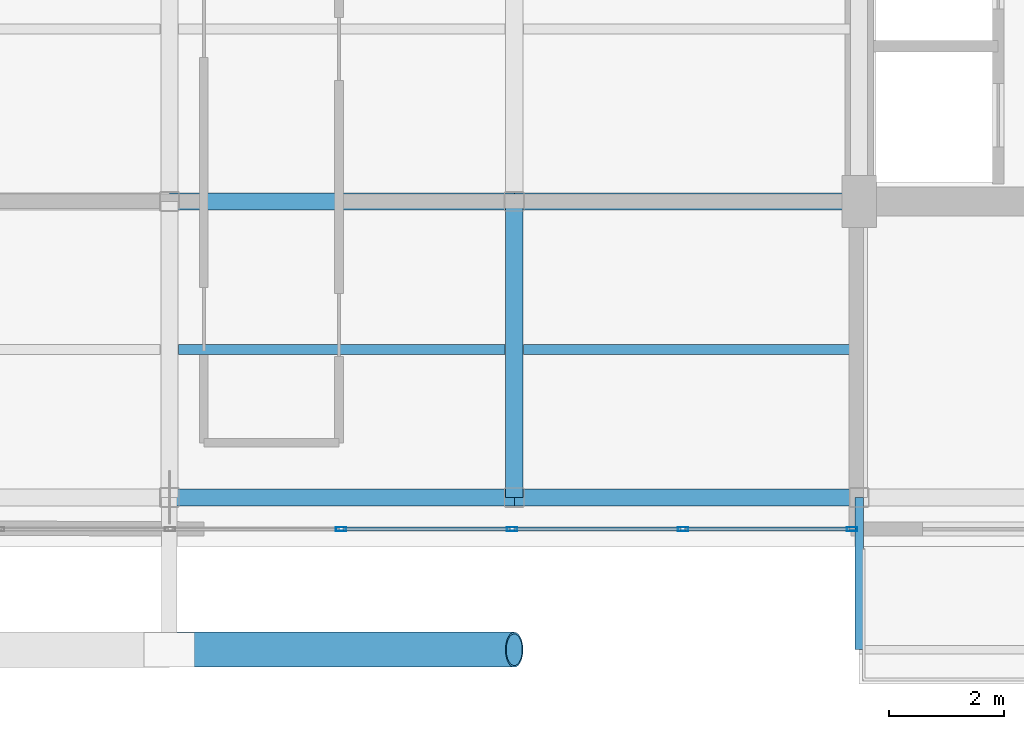
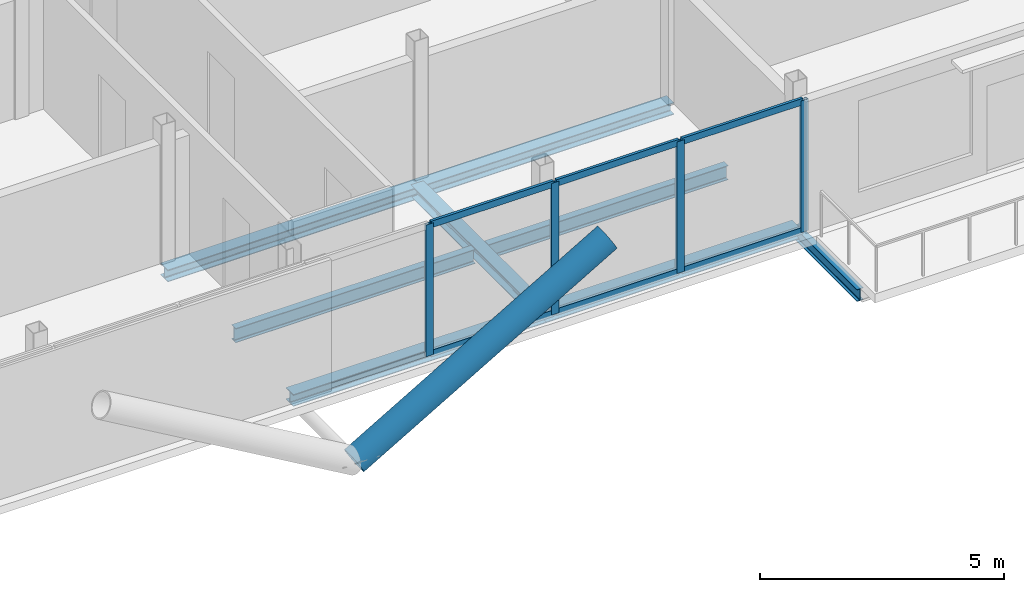
# One storey, part 4 of 18: 11 members, 8 beams, 1 element without a shape of its own.
"""IFC4 building model written with IfcOpenShell, lengths in metres."""

from ifc_helpers import new_model, si_unit, direction, frame, origin, origin_2d, place, context, subcontext, project, spatial, hollow_rectangle, hollow_circle, i_section, extrude, material, layer, layer_set, material_profile, profile_set, type_object, element, aggregate, save


model = new_model("IFC4")

# Units and contexts
model_context = context("Model", 3, precision=1e-05, world=origin(), true_north=direction((0.0, 1.0)))
body_context = subcontext(model_context, "Body", "Model", "MODEL_VIEW")
ifc_project = project(units=[si_unit("LENGTHUNIT", "METRE"), si_unit("AREAUNIT", "SQUARE_METRE"), si_unit("VOLUMEUNIT", "CUBIC_METRE"), si_unit("PLANEANGLEUNIT", "RADIAN"), si_unit("MASSUNIT", "GRAM", prefix="KILO"), si_unit("THERMODYNAMICTEMPERATUREUNIT", "KELVIN"), si_unit("POWERUNIT", "WATT")], contexts=[model_context])

# Site, building, storey
site_placement = place(None, origin())
site = spatial("IfcSite", under=ifc_project, at=site_placement, CompositionType="ELEMENT")
building_placement = place(site_placement, origin())
building = spatial("IfcBuilding", under=site, at=building_placement, Name="Svarakhadi Broadcast Tower", CompositionType="ELEMENT")
storey_placement = place(building_placement, frame((0.0, 0.0, 288.699951171875)))
storey = spatial("IfcBuildingStorey", under=building, at=storey_placement, Name="L73", CompositionType="ELEMENT", Elevation=288.699951171875)

# Beams
ifc_material_1 = material(Name="Steel S355J2 (IS 2062 E350C)", Category="steel")
ifc_material_profile_1 = material_profile(ifc_material_1, i_section(OverallWidth=0.169921875, OverallDepth=0.360107421875, WebThickness=0.008056640625, FlangeThickness=0.0126953125, FilletRadius=0.01806640625, at=origin_2d()), Name="NPB 360x170x57")
ifc_profile_set_1 = profile_set([ifc_material_profile_1], Name="Steel S355J2 (IS 2062 E350C)")
beam_type_1 = type_object("IfcBeamType", Name="Beam_NPB360", PredefinedType="BEAM", material=ifc_profile_set_1)
for number, where, z_axis, x_axis, name in (
    (1, (12.159912109375, 3.425048828125, -0.3798828125), (1.0, 0.0, 0.0), (0.0, 1.0, 0.0), "L73 Secondary Composite Beam SB007"),
    (2, (18.159912109375, 3.425048828125, -0.3798828125), (1.0, 0.0, 0.0), (0.0, 1.0, 0.0), "L73 Secondary Composite Beam SB010"),
):
    element("IfcBeam", number, at=place(storey_placement, frame(where, z_axis=z_axis, x_axis=x_axis)), inside=storey, type_object=beam_type_1, Name=name, PredefinedType="BEAM", context=body_context, shape_type="SweptSolid", body=[
        extrude(i_section(OverallWidth=0.169921875, OverallDepth=0.360107421875, WebThickness=0.008056640625, FlangeThickness=0.0126953125, FilletRadius=0.01806640625, at=origin_2d()), origin(), (0.0, 0.0, 1.0), 5.68017578125),
    ])

# Curtain wall, members
ifc_material_2 = material(Name="Anodised Bronze Aluminium AA 6063-T6", Category="aluminium")
ifc_layer = layer(ifc_material_2, 0.179931640625)
ifc_layer_set = layer_set([ifc_layer], Name="Anodised Bronze Aluminium AA 6063-T6")
curtain_wall_type = type_object("IfcCurtainWallType", Name="CW_Sys_05", PredefinedType="NOTDEFINED", material=ifc_layer_set)
curtain_wall_placement = place(storey_placement, origin())
curtain_wall = element("IfcCurtainWall", 3, at=curtain_wall_placement, inside=storey, type_object=curtain_wall_type, Name="L73 South Curtain Wall 15", PredefinedType="NOTDEFINED")
ifc_material_profile_2 = material_profile(ifc_material_2, hollow_rectangle(XDim=0.070068359375, YDim=0.179931640625, WallThickness=0.005615234375, at=origin_2d()), Name="ALU MULLION 180x70x6")
ifc_profile_set_2 = profile_set([ifc_material_profile_2], Name="Anodised Bronze Aluminium AA 6063-T6")
member_type_1 = type_object("IfcMemberType", Name="CW_Sys_05_Mul", PredefinedType="MULLION", material=ifc_profile_set_2)
member_1_placement = place(storey_placement, frame((23.875, 0.300048828125, 0.0), z_axis=(0.0, 0.0, 1.0), x_axis=(0.0, -1.0, 0.0)))
member_1 = element("IfcMember", 4, at=member_1_placement, type_object=member_type_1, Name="CW-05 mullion 1", PredefinedType="MULLION", context=body_context, shape_type="SweptSolid", body=[
    extrude(hollow_rectangle(XDim=0.070068359375, YDim=0.179931640625, WallThickness=0.005615234375, at=origin_2d()), origin(), (0.0, 0.0, 1.0), 3.300048828125),
])
member_2_placement = place(storey_placement, frame((20.935791015625, 0.300048828125, 0.0), z_axis=(0.0, 0.0, 1.0), x_axis=(0.0, -1.0, 0.0)))
member_2 = element("IfcMember", 5, at=member_2_placement, type_object=member_type_1, Name="CW-05 mullion 2", PredefinedType="MULLION", context=body_context, shape_type="SweptSolid", body=[
    extrude(hollow_rectangle(XDim=0.070068359375, YDim=0.179931640625, WallThickness=0.005615234375, at=origin_2d()), origin(), (0.0, 0.0, 1.0), 3.300048828125),
])
member_3_placement = place(storey_placement, frame((17.96142578125, 0.300048828125, 0.0), z_axis=(0.0, 0.0, 1.0), x_axis=(0.0, -1.0, 0.0)))
member_3 = element("IfcMember", 6, at=member_3_placement, type_object=member_type_1, Name="CW-05 mullion 3", PredefinedType="MULLION", context=body_context, shape_type="SweptSolid", body=[
    extrude(hollow_rectangle(XDim=0.070068359375, YDim=0.179931640625, WallThickness=0.005615234375, at=origin_2d()), origin(), (0.0, 0.0, 1.0), 3.300048828125),
])
member_4_placement = place(storey_placement, frame((14.987060546875, 0.300048828125, 0.0), z_axis=(0.0, 0.0, 1.0), x_axis=(0.0, -1.0, 0.0)))
member_4 = element("IfcMember", 7, at=member_4_placement, type_object=member_type_1, Name="CW-05 mullion 4", PredefinedType="MULLION", context=body_context, shape_type="SweptSolid", body=[
    extrude(hollow_rectangle(XDim=0.070068359375, YDim=0.179931640625, WallThickness=0.005615234375, at=origin_2d()), origin(), (0.0, 0.0, 1.0), 3.300048828125),
])
ifc_material_profile_3 = material_profile(ifc_material_2, hollow_rectangle(XDim=0.06494140625, YDim=0.1650390625, WallThickness=0.0048828125, at=origin_2d()), Name="ALU TRANSOM 165x65x5")
ifc_profile_set_3 = profile_set([ifc_material_profile_3], Name="Anodised Bronze Aluminium AA 6063-T6")
member_type_2 = type_object("IfcMemberType", Name="CW_Sys_05_Trn", PredefinedType="USERDEFINED", material=ifc_profile_set_3)
member_5_placement = place(storey_placement, frame((23.840087890625, 0.300048828125, 0.032470703125), z_axis=(-1.0, 0.0, 0.0), x_axis=(0.0, -1.0, 0.0)))
member_5 = element("IfcMember", 8, at=member_5_placement, type_object=member_type_2, Name="CW-05 transom 1.1", ObjectType="TRANSOM", PredefinedType="USERDEFINED", context=body_context, shape_type="SweptSolid", body=[
    extrude(hollow_rectangle(XDim=0.06494140625, YDim=0.1650390625, WallThickness=0.0048828125, at=origin_2d()), origin(), (0.0, 0.0, 1.0), 2.869384765625),
])
member_6_placement = place(storey_placement, frame((23.840087890625, 0.300048828125, 3.267578125), z_axis=(-1.0, 0.0, 0.0), x_axis=(0.0, -1.0, 0.0)))
member_6 = element("IfcMember", 9, at=member_6_placement, type_object=member_type_2, Name="CW-05 transom 1.2", ObjectType="TRANSOM", PredefinedType="USERDEFINED", context=body_context, shape_type="SweptSolid", body=[
    extrude(hollow_rectangle(XDim=0.06494140625, YDim=0.1650390625, WallThickness=0.0048828125, at=origin_2d()), origin(), (0.0, 0.0, 1.0), 2.869384765625),
])
member_7_placement = place(storey_placement, frame((20.900634765625, 0.300048828125, 0.032470703125), z_axis=(-1.0, 0.0, 0.0), x_axis=(0.0, -1.0, 0.0)))
member_7 = element("IfcMember", 10, at=member_7_placement, type_object=member_type_2, Name="CW-05 transom 2.1", ObjectType="TRANSOM", PredefinedType="USERDEFINED", context=body_context, shape_type="SweptSolid", body=[
    extrude(hollow_rectangle(XDim=0.06494140625, YDim=0.1650390625, WallThickness=0.0048828125, at=origin_2d()), origin(), (0.0, 0.0, 1.0), 2.904296875),
])
member_8_placement = place(storey_placement, frame((20.900634765625, 0.300048828125, 3.267578125), z_axis=(-1.0, 0.0, 0.0), x_axis=(0.0, -1.0, 0.0)))
member_8 = element("IfcMember", 11, at=member_8_placement, type_object=member_type_2, Name="CW-05 transom 2.2", ObjectType="TRANSOM", PredefinedType="USERDEFINED", context=body_context, shape_type="SweptSolid", body=[
    extrude(hollow_rectangle(XDim=0.06494140625, YDim=0.1650390625, WallThickness=0.0048828125, at=origin_2d()), origin(), (0.0, 0.0, 1.0), 2.904296875),
])
member_9_placement = place(storey_placement, frame((17.926513671875, 0.300048828125, 0.032470703125), z_axis=(-1.0, 0.0, 0.0), x_axis=(0.0, -1.0, 0.0)))
member_9 = element("IfcMember", 12, at=member_9_placement, type_object=member_type_2, Name="CW-05 transom 3.1", ObjectType="TRANSOM", PredefinedType="USERDEFINED", context=body_context, shape_type="SweptSolid", body=[
    extrude(hollow_rectangle(XDim=0.06494140625, YDim=0.1650390625, WallThickness=0.0048828125, at=origin_2d()), origin(), (0.0, 0.0, 1.0), 2.904296875),
])
member_10_placement = place(storey_placement, frame((17.926513671875, 0.300048828125, 3.267578125), z_axis=(-1.0, 0.0, 0.0), x_axis=(0.0, -1.0, 0.0)))
member_10 = element("IfcMember", 13, at=member_10_placement, type_object=member_type_2, Name="CW-05 transom 3.2", ObjectType="TRANSOM", PredefinedType="USERDEFINED", context=body_context, shape_type="SweptSolid", body=[
    extrude(hollow_rectangle(XDim=0.06494140625, YDim=0.1650390625, WallThickness=0.0048828125, at=origin_2d()), origin(), (0.0, 0.0, 1.0), 2.904296875),
])
aggregate(curtain_wall, [member_1, member_2, member_3, member_4, member_5, member_6, member_7, member_8, member_9, member_10])

# Member
ifc_material_3 = material(Name="Steel S460ML (IS 2062 E450BR)", Category="steel")
ifc_material_profile_4 = material_profile(ifc_material_3, hollow_circle(Radius=0.304931640625, WallThickness=0.030029296875, at=origin_2d()), Name="CHS 610x30")
ifc_profile_set_4 = profile_set([ifc_material_profile_4], Name="Steel S460ML (IS 2062 E450BR)")
member_type_3 = type_object("IfcMemberType", Name="Exo_Brace_CHS610", PredefinedType="BRACE", material=ifc_profile_set_4)
member_11_placement = place(storey_placement, frame((12.0, -1.800048828125, -0.33642578125), z_axis=(0.863778900898, 0.0, 0.503871025524), x_axis=(0.0, 1.0, 0.0)))
element("IfcMember", 14, at=member_11_placement, inside=storey, type_object=member_type_3, Name="L73 Exposed Bronze Exoskeleton Diagonal S02", PredefinedType="BRACE", context=body_context, shape_type="SweptSolid", body=[
    extrude(hollow_circle(Radius=0.304931640625, WallThickness=0.030029296875, at=origin_2d()), origin(), (0.0, 0.0, 1.0), 6.9462890625),
])

# Beams
ifc_material_profile_5 = material_profile(ifc_material_1, i_section(OverallWidth=0.300048828125, OverallDepth=0.300048828125, WebThickness=0.010986328125, FlangeThickness=0.01904296875, FilletRadius=0.027099609375, at=origin_2d()), Name="WPB 300x300x117")
ifc_profile_set_5 = profile_set([ifc_material_profile_5], Name="Steel S355J2 (IS 2062 E350C)")
beam_type_2 = type_object("IfcBeamType", Name="Girder_WPB300", PredefinedType="USERDEFINED", material=ifc_profile_set_5)
for number, where, z_axis, x_axis, name in (
    (15, (12.0, 0.85009765625, -0.349853515625), (1.0, 0.0, 0.0), (0.0, 1.0, 0.0), "L73 Primary E-W Girder G005"),
    (16, (18.0, 0.85009765625, -0.349853515625), (1.0, 0.0, 0.0), (0.0, 1.0, 0.0), "L73 Primary E-W Girder G006"),
    (17, (12.0, 6.0, -0.349853515625), (1.0, 0.0, 0.0), (0.0, 1.0, 0.0), "L73 Primary E-W Girder G010"),
    (18, (18.0, 6.0, -0.349853515625), (1.0, 0.0, 0.0), (0.0, 1.0, 0.0), "L73 Primary E-W Girder G011"),
):
    element("IfcBeam", number, at=place(storey_placement, frame(where, z_axis=z_axis, x_axis=x_axis)), inside=storey, type_object=beam_type_2, Name=name, ObjectType="GIRDER", PredefinedType="USERDEFINED", context=body_context, shape_type="SweptSolid", body=[
        extrude(i_section(OverallWidth=0.300048828125, OverallDepth=0.300048828125, WebThickness=0.010986328125, FlangeThickness=0.01904296875, FilletRadius=0.027099609375, at=origin_2d()), origin(), (0.0, 0.0, 1.0), 6.0),
    ])
beam_1_placement = place(storey_placement, frame((18.0, 0.85009765625, -0.349853515625), z_axis=(0.0, 1.0, 0.0), x_axis=(-1.0, 0.0, 0.0)))
element("IfcBeam", 19, at=beam_1_placement, inside=storey, type_object=beam_type_2, Name="L73 Primary N-S Girder G036", ObjectType="GIRDER", PredefinedType="USERDEFINED", context=body_context, shape_type="SweptSolid", body=[
    extrude(i_section(OverallWidth=0.300048828125, OverallDepth=0.300048828125, WebThickness=0.010986328125, FlangeThickness=0.01904296875, FilletRadius=0.027099609375, at=origin_2d()), origin(), (0.0, 0.0, 1.0), 5.14990234375),
])
ifc_material_profile_6 = material_profile(ifc_material_1, i_section(OverallWidth=0.14990234375, OverallDepth=0.300048828125, WebThickness=0.007080078125, FlangeThickness=0.0107421875, FilletRadius=0.014892578125, at=origin_2d()), Name="NPB 300x150x37")
ifc_profile_set_6 = profile_set([ifc_material_profile_6], Name="Steel S355J2 (IS 2062 E350C)")
beam_type_3 = type_object("IfcBeamType", Name="Spandrel_NPB300", PredefinedType="SPANDREL", material=ifc_profile_set_6)
beam_2_placement = place(storey_placement, frame((24.0, 0.85009765625, -0.375), z_axis=(0.0, -1.0, 0.0), x_axis=(1.0, 0.0, 0.0)))
element("IfcBeam", 20, at=beam_2_placement, inside=storey, type_object=beam_type_3, Name="L73 Balcony Cantilever Bracket 1A", PredefinedType="SPANDREL", context=body_context, shape_type="SweptSolid", body=[
    extrude(i_section(OverallWidth=0.14990234375, OverallDepth=0.300048828125, WebThickness=0.007080078125, FlangeThickness=0.0107421875, FilletRadius=0.014892578125, at=origin_2d()), origin(), (0.0, 0.0, 1.0), 2.650146484375),
])

save(model, "model.ifc")
